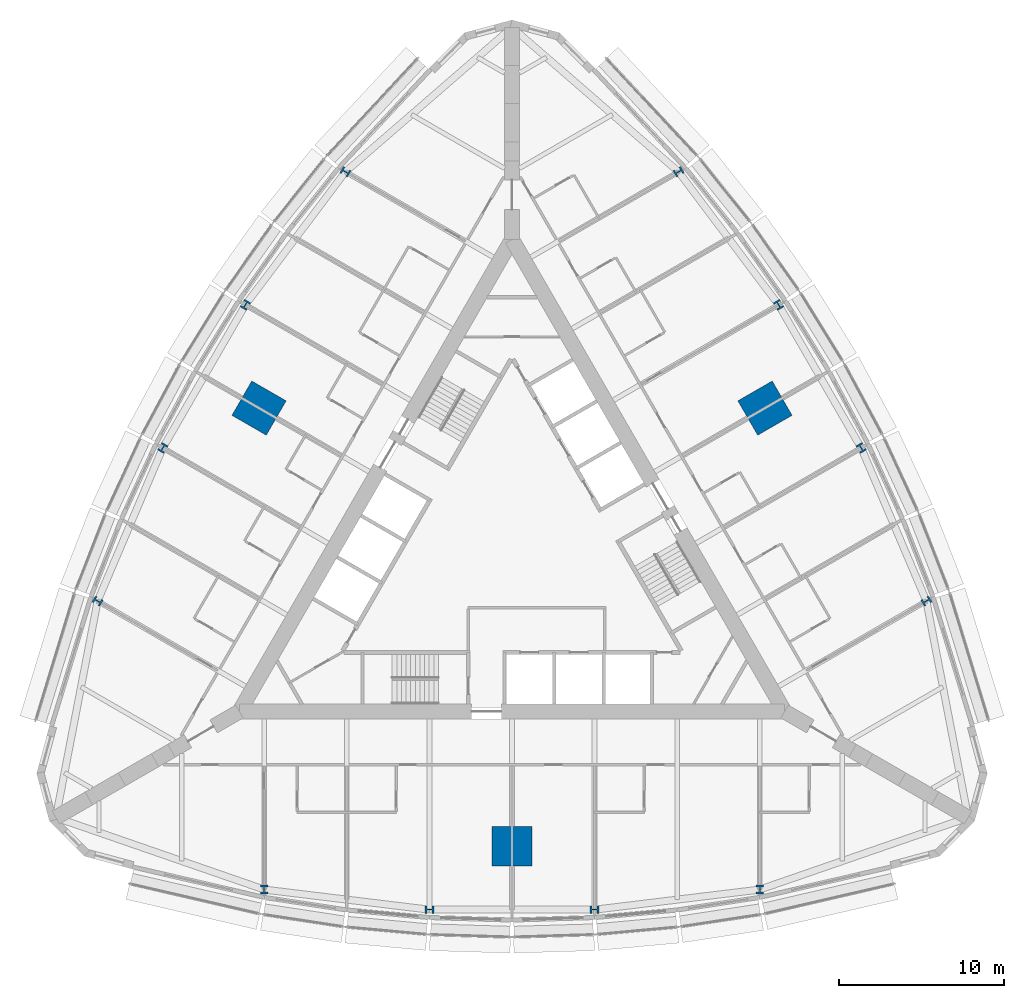
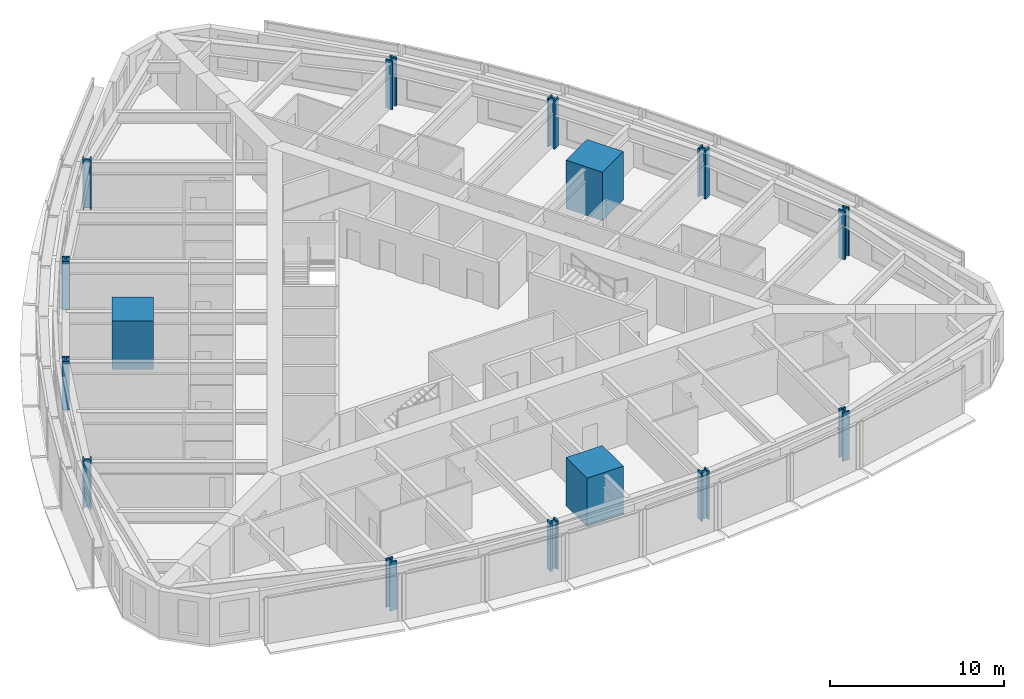
# One storey, part 1 of 14: 15 columns.
"""IFC4 building model written with IfcOpenShell, lengths in metres."""

from ifc_helpers import new_model, si_unit, direction, frame, origin, origin_2d, place, context, subcontext, project, spatial, rectangle, i_section, extrude, material, material_profile, profile_set, type_object, element, save


model = new_model("IFC4")

# Units and contexts
model_context = context("Model", 3, precision=1e-05, world=origin(), true_north=direction((0.0, 1.0)))
body_context = subcontext(model_context, "Body", "Model", "MODEL_VIEW")
ifc_project = project(units=[si_unit("LENGTHUNIT", "METRE"), si_unit("AREAUNIT", "SQUARE_METRE"), si_unit("VOLUMEUNIT", "CUBIC_METRE"), si_unit("PLANEANGLEUNIT", "RADIAN"), si_unit("MASSUNIT", "GRAM", prefix="KILO")], contexts=[model_context])

# Site, building, storey
site_placement = place(None, origin())
site = spatial("IfcSite", under=ifc_project, at=site_placement, CompositionType="ELEMENT")
building_placement = place(site_placement, origin())
building = spatial("IfcBuilding", under=site, at=building_placement, Name="Trikona Tower", CompositionType="ELEMENT")
storey_placement = place(building_placement, frame((0.0, 0.0, 55.699951171875)))
storey = spatial("IfcBuildingStorey", under=building, at=storey_placement, Name="L13", CompositionType="ELEMENT", Elevation=55.699951171875)

# Columns
ifc_material_1 = material(Name="Concrete f'c 10000 psi with encased steel section", Category="concrete")
ifc_material_profile_1 = material_profile(ifc_material_1, rectangle(XDim=2.39990234375, YDim=2.39990234375, at=origin_2d()), Name="MC2400")
ifc_profile_set_1 = profile_set([ifc_material_profile_1], Name="Concrete f'c 10000 psi with encased steel section")
column_type_1 = type_object("IfcColumnType", Name="Composite mega column 2400x2400", PredefinedType="COLUMN", material=ifc_profile_set_1)
for number, where, z_axis, x_axis, name in (
    (1, (0.0, -17.680419921875, 0.0), (0.0, 0.0, 1.0), (0.0, -1.0, 0.0), "Mega column MC1"),
    (2, (15.311767578125, 8.84033203125, 0.0), (0.0, 0.0, 1.0), (0.866025403784, 0.5, 0.0), "Mega column MC2"),
    (3, (-15.311767578125, 8.84033203125, 0.0), (0.0, 0.0, 1.0), (-0.866025403784, 0.5, 0.0), "Mega column MC3"),
):
    element("IfcColumn", number, at=place(storey_placement, frame(where, z_axis=z_axis, x_axis=x_axis)), inside=storey, type_object=column_type_1, Name=name, PredefinedType="COLUMN", context=body_context, shape_type="SweptSolid", body=[
        extrude(rectangle(XDim=2.39990234375, YDim=2.39990234375, at=origin_2d()), origin(), (0.0, 0.0, 1.0), 3.400146484375),
    ])
ifc_material_2 = material(Name="Steel ASTM A992 Grade 50", Category="steel")
ifc_material_profile_2 = material_profile(ifc_material_2, i_section(OverallWidth=0.44189453125, OverallDepth=0.53076171875, WebThickness=0.06591796875, FlangeThickness=0.105712890625, at=origin_2d()), Name="W14X605")
ifc_profile_set_2 = profile_set([ifc_material_profile_2], Name="Steel ASTM A992 Grade 50")
column_type_2 = type_object("IfcColumnType", Name="Steel column W14x605", PredefinedType="COLUMN", material=ifc_profile_set_2)
for number, where, z_axis, x_axis, name in (
    (4, (-15.0, -20.302978515625, 0.0), (0.0, 0.0, 1.0), (1.0, 0.0, 0.0), "Column F0m15"),
    (5, (-5.0, -21.5205078125, 0.0), (0.0, 0.0, 1.0), (0.0, -1.0, 0.0), "Column F0m5"),
    (6, (5.0, -21.5205078125, 0.0), (0.0, 0.0, 1.0), (0.0, -1.0, 0.0), "Column F0p5"),
    (7, (15.0, -20.302978515625, 0.0), (0.0, 0.0, 1.0), (1.0, 0.0, 0.0), "Column F0p15"),
    (8, (25.0830078125, -2.8388671875, 0.0), (0.0, 0.0, 1.0), (-0.5, 0.866025403784, 0.0), "Column F1m15"),
    (9, (21.13720703125, 6.43017578125, 0.0), (0.0, 0.0, 1.0), (0.866025403784, 0.5, 0.0), "Column F1m5"),
    (10, (16.13720703125, 15.09033203125, 0.0), (0.0, 0.0, 1.0), (0.866025403784, 0.5, 0.0), "Column F1p5"),
    (11, (10.0830078125, 23.141845703125, 0.0), (0.0, 0.0, 1.0), (-0.5, 0.866025403784, 0.0), "Column F1p15"),
    (12, (-10.0830078125, 23.141845703125, 0.0), (0.0, 0.0, 1.0), (-0.5, -0.866025403784, 0.0), "Column F2m15"),
    (13, (-16.13720703125, 15.09033203125, 0.0), (0.0, 0.0, 1.0), (-0.866025403784, 0.5, 0.0), "Column F2m5"),
    (14, (-21.13720703125, 6.43017578125, 0.0), (0.0, 0.0, 1.0), (-0.866025403784, 0.5, 0.0), "Column F2p5"),
    (15, (-25.0830078125, -2.8388671875, 0.0), (0.0, 0.0, 1.0), (-0.5, -0.866025403784, 0.0), "Column F2p15"),
):
    element("IfcColumn", number, at=place(storey_placement, frame(where, z_axis=z_axis, x_axis=x_axis)), inside=storey, type_object=column_type_2, Name=name, PredefinedType="COLUMN", context=body_context, shape_type="SweptSolid", body=[
        extrude(i_section(OverallWidth=0.44189453125, OverallDepth=0.53076171875, WebThickness=0.06591796875, FlangeThickness=0.105712890625, at=origin_2d()), origin(), (0.0, 0.0, 1.0), 3.400146484375),
    ])

save(model, "model.ifc")
